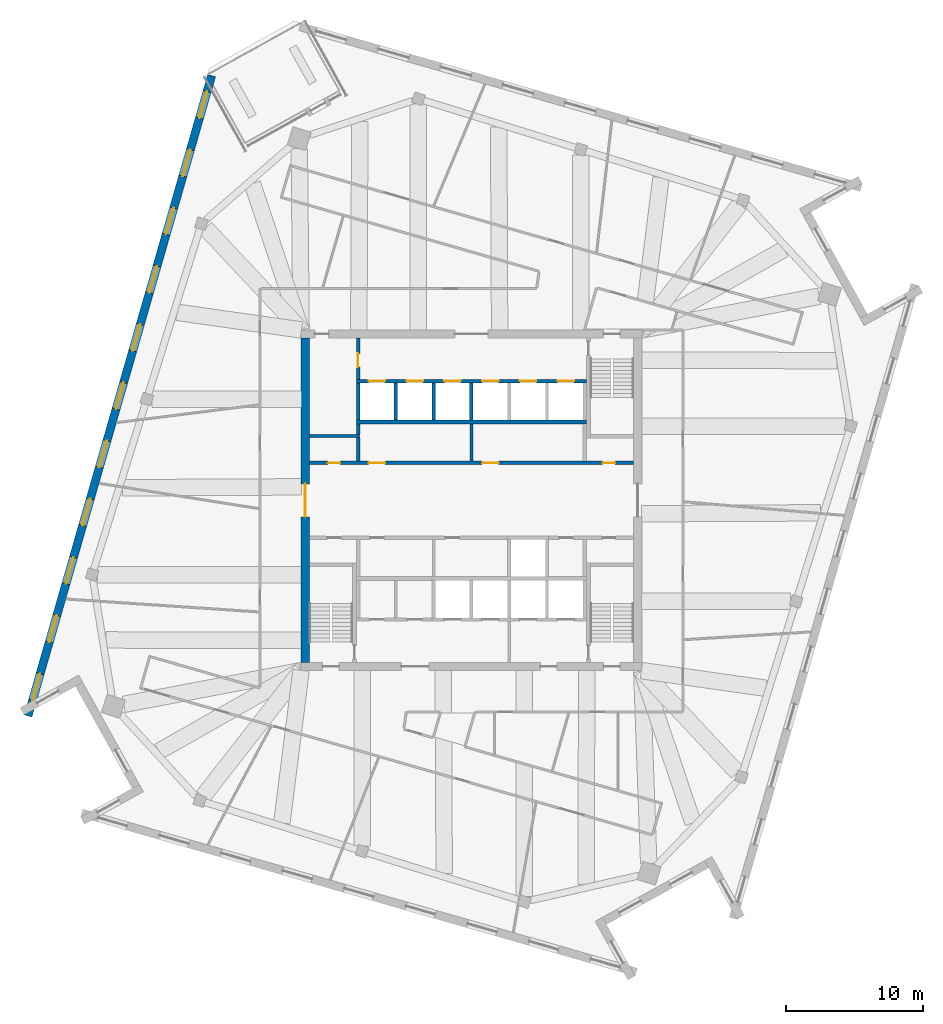
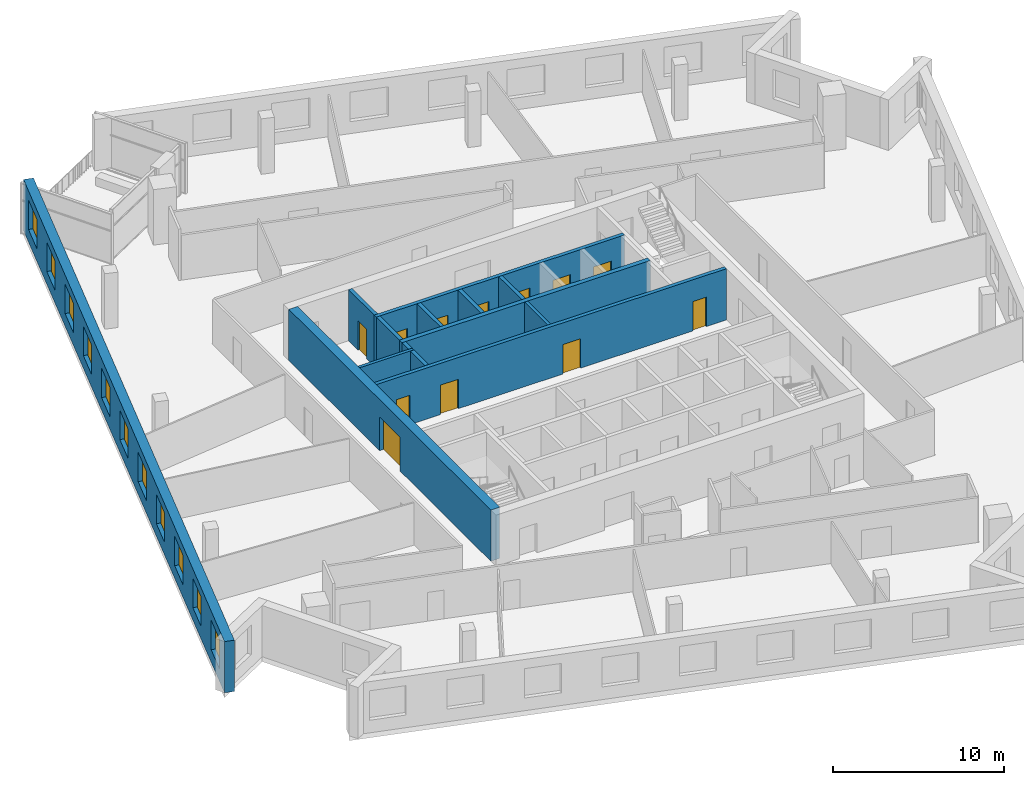
# One storey, part 10 of 15: 14 walls, 12 doors, 11 windows, 23 openings.
"""IFC4 building model written with IfcOpenShell, lengths in metres."""

from ifc_helpers import new_model, si_unit, direction, frame, frame_2d, origin, place, context, subcontext, project, spatial, rectangle, extrude, material, layer, layer_set, type_object, element, fill, save


model = new_model("IFC4")

# Units and contexts
model_context = context("Model", 3, precision=1e-05, world=origin(), true_north=direction((0.0, 1.0)))
body_context = subcontext(model_context, "Body", "Model", "MODEL_VIEW")
ifc_project = project(units=[si_unit("LENGTHUNIT", "METRE"), si_unit("AREAUNIT", "SQUARE_METRE"), si_unit("VOLUMEUNIT", "CUBIC_METRE"), si_unit("PLANEANGLEUNIT", "RADIAN"), si_unit("MASSUNIT", "GRAM", prefix="KILO")], contexts=[model_context])

# Site, building, storey
site_placement = place(None, origin())
site = spatial("IfcSite", under=ifc_project, at=site_placement, CompositionType="ELEMENT")
building_placement = place(site_placement, origin())
building = spatial("IfcBuilding", under=site, at=building_placement, Name="Dilmun Exchange Tower", CompositionType="ELEMENT")
storey_placement = place(building_placement, frame((0.0, 0.0, 324.5)))
storey = spatial("IfcBuildingStorey", under=building, at=storey_placement, Name="L77", CompositionType="ELEMENT", Elevation=324.5)

# Walls
ifc_material_1 = material(Name="Concrete C40/50", Category="concrete")
ifc_layer_1 = layer(ifc_material_1, 0.199951171875)
ifc_layer_set_1 = layer_set([ifc_layer_1], Name="Concrete C40/50")
wall_type_1 = type_object("IfcWallType", Name="Core partition wall 200", PredefinedType="PARTITIONING", material=ifc_layer_set_1)
wall_1_placement = place(storey_placement, frame((0.0, 2.85498046875, 0.0), z_axis=(0.0, 0.0, 1.0), x_axis=(0.0, 1.0, 0.0)))
element("IfcWall", 1, at=wall_1_placement, inside=storey, type_object=wall_type_1, Name="L77 core partition wall 13", PredefinedType="PARTITIONING", context=body_context, shape_type="SweptSolid", body=[
    extrude(rectangle(XDim=2.68994140625, YDim=0.199951171875, at=frame_2d((1.344970703125, 0.0))), origin(), (0.0, 0.0, 1.0), 3.64990234375),
])
wall_2_placement = place(storey_placement, frame((-11.794921875, 4.675048828125, 0.0), z_axis=(0.0, 0.0, 1.0), x_axis=(1.0, 0.0, 0.0)))
element("IfcWall", 2, at=wall_2_placement, inside=storey, type_object=wall_type_1, Name="L77 core partition wall 15", PredefinedType="PARTITIONING", context=body_context, shape_type="SweptSolid", body=[
    extrude(rectangle(XDim=3.64501953125, YDim=0.199951171875, at=frame_2d((1.822509765625, 0.0))), origin(), (0.0, 0.0, 1.0), 3.64990234375),
])

# Wall, openings, doors
ifc_layer_2 = layer(ifc_material_1, 0.25)
ifc_layer_set_2 = layer_set([ifc_layer_2], Name="Concrete C40/50")
wall_type_2 = type_object("IfcWallType", Name="Core partition wall 250", PredefinedType="PARTITIONING", material=ifc_layer_set_2)
wall_3_placement = place(storey_placement, frame((-11.794921875, 2.72509765625, 0.0), z_axis=(0.0, 0.0, 1.0), x_axis=(1.0, 0.0, 0.0)))
wall_3 = element("IfcWall", 3, at=wall_3_placement, inside=storey, type_object=wall_type_2, Name="L77 core partition wall 11", PredefinedType="PARTITIONING", context=body_context, shape_type="SweptSolid", body=[
    extrude(rectangle(XDim=23.58984375, YDim=0.25, at=frame_2d((11.794921875, 0.0))), origin(), (0.0, 0.0, 1.0), 3.64990234375),
])
opening_1_placement = place(wall_3_placement, frame((21.344970703125, 0.0, 0.0)))
opening_1 = element("IfcOpeningElement", 4, at=opening_1_placement, cuts=wall_3, Name="Opening CD6", PredefinedType="OPENING", context=body_context, shape_type="SweptSolid", body=[
    extrude(rectangle(XDim=0.89990234375, YDim=2.10009765625, at=frame_2d((0.449951171875, 1.050048828125))), frame((0.0, 0.135009765625, 0.0), z_axis=(0.0, -1.0, 0.0), x_axis=(1.0, 0.0, 0.0)), (0.0, 0.0, 1.0), 0.27001953125),
])
opening_2_placement = place(wall_3_placement, frame((1.344970703125, 0.0, 0.0)))
opening_2 = element("IfcOpeningElement", 5, at=opening_2_placement, cuts=wall_3, Name="Opening CD6", PredefinedType="OPENING", context=body_context, shape_type="SweptSolid", body=[
    extrude(rectangle(XDim=0.89990234375, YDim=2.10009765625, at=frame_2d((0.449951171875, 1.050048828125))), frame((0.0, 0.135009765625, 0.0), z_axis=(0.0, -1.0, 0.0), x_axis=(1.0, 0.0, 0.0)), (0.0, 0.0, 1.0), 0.27001953125),
])
opening_3_placement = place(wall_3_placement, frame((4.320068359375, 0.0, 0.0)))
opening_3 = element("IfcOpeningElement", 6, at=opening_3_placement, cuts=wall_3, Name="Opening CD3", PredefinedType="OPENING", context=body_context, shape_type="SweptSolid", body=[
    extrude(rectangle(XDim=1.199951171875, YDim=2.10009765625, at=frame_2d((0.60009765625, 1.050048828125))), frame((0.0, 0.135009765625, 0.0), z_axis=(0.0, -1.0, 0.0), x_axis=(1.0, 0.0, 0.0)), (0.0, 0.0, 1.0), 0.27001953125),
])
opening_4_placement = place(wall_3_placement, frame((12.570068359375, 0.0, 0.0)))
opening_4 = element("IfcOpeningElement", 7, at=opening_4_placement, cuts=wall_3, Name="Opening CD3", PredefinedType="OPENING", context=body_context, shape_type="SweptSolid", body=[
    extrude(rectangle(XDim=1.199951171875, YDim=2.10009765625, at=frame_2d((0.60009765625, 1.050048828125))), frame((0.0, 0.135009765625, 0.0), z_axis=(0.0, -1.0, 0.0), x_axis=(1.0, 0.0, 0.0)), (0.0, 0.0, 1.0), 0.27001953125),
])
ifc_material_2 = material(Name="Fire-rated steel door set", Category="steel")
door_type_1 = type_object("IfcDoorType", Name="Core room door 900x2100", OperationType="SINGLE_SWING_LEFT", PredefinedType="DOOR", material=ifc_material_2)
door_1_placement = place(opening_1_placement, origin())
door_1 = element("IfcDoor", 8, at=door_1_placement, inside=storey, type_object=door_type_1, Name="L77 door Electrical riser", OperationType="SINGLE_SWING_RIGHT", OverallHeight=2.10009765625, OverallWidth=0.89990234375, PredefinedType="DOOR", context=body_context, shape_type="SweptSolid", body=[
    extrude(rectangle(XDim=0.89990234375, YDim=2.10009765625, at=frame_2d((0.449951171875, 1.050048828125))), frame((0.0, 0.02490234375, 0.0), z_axis=(0.0, -1.0, 0.0), x_axis=(1.0, 0.0, 0.0)), (0.0, 0.0, 1.0), 0.050048828125),
])
fill(opening_1, door_1)
door_2_placement = place(opening_2_placement, origin())
door_2 = element("IfcDoor", 9, at=door_2_placement, inside=storey, type_object=door_type_1, Name="L77 door Plumbing riser", OperationType="SINGLE_SWING_RIGHT", OverallHeight=2.10009765625, OverallWidth=0.89990234375, PredefinedType="DOOR", context=body_context, shape_type="SweptSolid", body=[
    extrude(rectangle(XDim=0.89990234375, YDim=2.10009765625, at=frame_2d((0.449951171875, 1.050048828125))), frame((0.0, 0.02490234375, 0.0), z_axis=(0.0, -1.0, 0.0), x_axis=(1.0, 0.0, 0.0)), (0.0, 0.0, 1.0), 0.050048828125),
])
fill(opening_2, door_2)
door_type_2 = type_object("IfcDoorType", Name="Stair exit door 1200x2100", OperationType="SINGLE_SWING_LEFT", PredefinedType="DOOR", material=ifc_material_2)
door_3_placement = place(opening_3_placement, origin())
door_3 = element("IfcDoor", 10, at=door_3_placement, inside=storey, type_object=door_type_2, Name="L77 door Quiet working room", OperationType="SINGLE_SWING_LEFT", OverallHeight=2.10009765625, OverallWidth=1.199951171875, PredefinedType="DOOR", context=body_context, shape_type="SweptSolid", body=[
    extrude(rectangle(XDim=1.199951171875, YDim=2.10009765625, at=frame_2d((0.60009765625, 1.050048828125))), frame((0.0, 0.02490234375, 0.0), z_axis=(0.0, -1.0, 0.0), x_axis=(1.0, 0.0, 0.0)), (0.0, 0.0, 1.0), 0.050048828125),
])
fill(opening_3, door_3)
door_4_placement = place(opening_4_placement, origin())
door_4 = element("IfcDoor", 11, at=door_4_placement, inside=storey, type_object=door_type_2, Name="L77 door Building management office", OperationType="SINGLE_SWING_LEFT", OverallHeight=2.10009765625, OverallWidth=1.199951171875, PredefinedType="DOOR", context=body_context, shape_type="SweptSolid", body=[
    extrude(rectangle(XDim=1.199951171875, YDim=2.10009765625, at=frame_2d((0.60009765625, 1.050048828125))), frame((0.0, 0.02490234375, 0.0), z_axis=(0.0, -1.0, 0.0), x_axis=(1.0, 0.0, 0.0)), (0.0, 0.0, 1.0), 0.050048828125),
])
fill(opening_4, door_4)

# Walls
wall_4_placement = place(storey_placement, frame((-8.25, 2.85498046875, 0.0), z_axis=(0.0, 0.0, 1.0), x_axis=(0.0, 1.0, 0.0)))
element("IfcWall", 12, at=wall_4_placement, inside=storey, type_object=wall_type_2, Name="L77 core partition wall 12", PredefinedType="PARTITIONING", context=body_context, shape_type="SweptSolid", body=[
    extrude(rectangle(XDim=1.715087890625, YDim=0.25, at=frame_2d((0.857421875, 0.0))), origin(), (0.0, 0.0, 1.0), 3.64990234375),
])
wall_5_placement = place(storey_placement, frame((-8.25, 4.780029296875, 0.0), z_axis=(0.0, 0.0, 1.0), x_axis=(0.0, 1.0, 0.0)))
element("IfcWall", 13, at=wall_5_placement, inside=storey, type_object=wall_type_2, Name="L77 core partition wall 16", PredefinedType="PARTITIONING", context=body_context, shape_type="SweptSolid", body=[
    extrude(rectangle(XDim=0.764892578125, YDim=0.25, at=frame_2d((0.38232421875, 0.0))), origin(), (0.0, 0.0, 1.0), 3.64990234375),
])

# Wall, opening, door
wall_6_placement = place(storey_placement, frame((-8.25, 8.804931640625, 0.0), z_axis=(0.0, 0.0, 1.0), x_axis=(0.0, 1.0, 0.0)))
wall_6 = element("IfcWall", 14, at=wall_6_placement, inside=storey, type_object=wall_type_2, Name="L77 core partition wall 17", PredefinedType="PARTITIONING", context=body_context, shape_type="SweptSolid", body=[
    extrude(rectangle(XDim=2.989990234375, YDim=0.25, at=frame_2d((1.4951171875, 0.0))), origin(), (0.0, 0.0, 1.0), 3.64990234375),
])
opening_5_placement = place(wall_6_placement, frame((0.89501953125, 0.0, 0.0)))
opening_5 = element("IfcOpeningElement", 15, at=opening_5_placement, cuts=wall_6, Name="Opening CD4", PredefinedType="OPENING", context=body_context, shape_type="SweptSolid", body=[
    extrude(rectangle(XDim=1.0, YDim=2.10009765625, at=frame_2d((0.5, 1.050048828125))), frame((0.0, 0.135009765625, 0.0), z_axis=(0.0, -1.0, 0.0), x_axis=(1.0, 0.0, 0.0)), (0.0, 0.0, 1.0), 0.27001953125),
])
door_type_3 = type_object("IfcDoorType", Name="Core room door 1000x2100", OperationType="SINGLE_SWING_LEFT", PredefinedType="DOOR", material=ifc_material_2)
door_5_placement = place(opening_5_placement, origin())
door_5 = element("IfcDoor", 16, at=door_5_placement, inside=storey, type_object=door_type_3, Name="L77 door Building services room", OperationType="SINGLE_SWING_RIGHT", OverallHeight=2.10009765625, OverallWidth=1.0, PredefinedType="DOOR", context=body_context, shape_type="SweptSolid", body=[
    extrude(rectangle(XDim=1.0, YDim=2.10009765625, at=frame_2d((0.5, 1.050048828125))), frame((0.0, 0.02490234375, 0.0), z_axis=(0.0, -1.0, 0.0), x_axis=(1.0, 0.0, 0.0)), (0.0, 0.0, 1.0), 0.050048828125),
])
fill(opening_5, door_5)

ifc_material_3 = material(Name="Concrete C50/60", Category="concrete")
ifc_layer_3 = layer(ifc_material_3, 0.60009765625)
ifc_layer_set_3 = layer_set([ifc_layer_3], Name="Concrete C50/60")
wall_type_3 = type_object("IfcWallType", Name="Core shear wall 600 Concrete C50/60", PredefinedType="SHEAR", material=ifc_layer_set_3)
wall_7_placement = place(storey_placement, frame((-12.10009765625, -11.800048828125, 0.0), z_axis=(0.0, 0.0, 1.0), x_axis=(0.0, 1.0, 0.0)))
wall_7 = element("IfcWall", 17, at=wall_7_placement, inside=storey, type_object=wall_type_3, Name="L77 core shear wall W", PredefinedType="SHEAR", context=body_context, shape_type="SweptSolid", body=[
    extrude(rectangle(XDim=23.60009765625, YDim=0.60009765625, at=frame_2d((11.800048828125, 0.0))), origin(), (0.0, 0.0, 1.0), 3.64990234375),
])
opening_6_placement = place(wall_7_placement, frame((10.60009765625, 0.0, 0.0)))
opening_6 = element("IfcOpeningElement", 18, at=opening_6_placement, cuts=wall_7, Name="Opening CD1", PredefinedType="OPENING", context=body_context, shape_type="SweptSolid", body=[
    extrude(rectangle(XDim=2.39990234375, YDim=2.39990234375, at=frame_2d((1.199951171875, 1.199951171875))), frame((0.0, 0.31005859375, 0.0), z_axis=(0.0, -1.0, 0.0), x_axis=(1.0, 0.0, 0.0)), (0.0, 0.0, 1.0), 0.6201171875),
])
door_type_4 = type_object("IfcDoorType", Name="Core lobby door 2400x2400", OperationType="DOUBLE_DOOR_DOUBLE_SWING", PredefinedType="DOOR", material=ifc_material_2)
door_6_placement = place(opening_6_placement, origin())
door_6 = element("IfcDoor", 19, at=door_6_placement, inside=storey, type_object=door_type_4, Name="L77 door Central lift lobby", OperationType="SINGLE_SWING_LEFT", OverallHeight=2.39990234375, OverallWidth=2.39990234375, PredefinedType="DOOR", context=body_context, shape_type="SweptSolid", body=[
    extrude(rectangle(XDim=2.39990234375, YDim=2.39990234375, at=frame_2d((1.199951171875, 1.199951171875))), frame((0.0, 0.02490234375, 0.0), z_axis=(0.0, -1.0, 0.0), x_axis=(1.0, 0.0, 0.0)), (0.0, 0.0, 1.0), 0.050048828125),
])
fill(opening_6, door_6)

# Wall
ifc_layer_4 = layer(ifc_material_1, 0.300048828125)
ifc_layer_set_4 = layer_set([ifc_layer_4], Name="Concrete C40/50")
wall_type_4 = type_object("IfcWallType", Name="Lift shaft shared wall 300", PredefinedType="SOLIDWALL", material=ifc_layer_set_4)
wall_8_placement = place(storey_placement, frame((-8.375, 5.699951171875, 0.0), z_axis=(0.0, 0.0, 1.0), x_axis=(1.0, 0.0, 0.0)))
element("IfcWall", 20, at=wall_8_placement, inside=storey, type_object=wall_type_4, Name="L77 lift shaft rear wall N", PredefinedType="SOLIDWALL", context=body_context, shape_type="SweptSolid", body=[
    extrude(rectangle(XDim=16.75, YDim=0.300048828125, at=frame_2d((8.375, 0.0))), origin(), (0.0, 0.0, 1.0), 3.64990234375),
])

# Wall, openings, doors
ifc_layer_5 = layer(ifc_material_1, 0.25)
ifc_layer_set_5 = layer_set([ifc_layer_5], Name="Concrete C40/50")
wall_type_5 = type_object("IfcWallType", Name="Lift shaft wall 250", PredefinedType="SOLIDWALL", material=ifc_layer_set_5)
wall_9_placement = place(storey_placement, frame((-8.375, 8.675048828125, 0.0), z_axis=(0.0, 0.0, 1.0), x_axis=(1.0, 0.0, 0.0)))
wall_9 = element("IfcWall", 21, at=wall_9_placement, inside=storey, type_object=wall_type_5, Name="L77 lift shaft front wall N2", PredefinedType="SOLIDWALL", context=body_context, shape_type="SweptSolid", body=[
    extrude(rectangle(XDim=16.75, YDim=0.25, at=frame_2d((8.375, 0.0))), origin(), (0.0, 0.0, 1.0), 3.64990234375),
])
opening_7_placement = place(wall_9_placement, frame((0.89990234375, 0.0, 0.0)))
opening_7 = element("IfcOpeningElement", 22, at=opening_7_placement, cuts=wall_9, Name="Opening LD", PredefinedType="OPENING", context=body_context, shape_type="SweptSolid", body=[
    extrude(rectangle(XDim=1.199951171875, YDim=2.10009765625, at=frame_2d((0.60009765625, 1.050048828125))), frame((0.0, 0.135009765625, 0.0), z_axis=(0.0, -1.0, 0.0), x_axis=(1.0, 0.0, 0.0)), (0.0, 0.0, 1.0), 0.27001953125),
])
opening_8_placement = place(wall_9_placement, frame((3.64990234375, 0.0, 0.0)))
opening_8 = element("IfcOpeningElement", 23, at=opening_8_placement, cuts=wall_9, Name="Opening LD", PredefinedType="OPENING", context=body_context, shape_type="SweptSolid", body=[
    extrude(rectangle(XDim=1.199951171875, YDim=2.10009765625, at=frame_2d((0.60009765625, 1.050048828125))), frame((0.0, 0.135009765625, 0.0), z_axis=(0.0, -1.0, 0.0), x_axis=(1.0, 0.0, 0.0)), (0.0, 0.0, 1.0), 0.27001953125),
])
opening_9_placement = place(wall_9_placement, frame((6.39990234375, 0.0, 0.0)))
opening_9 = element("IfcOpeningElement", 24, at=opening_9_placement, cuts=wall_9, Name="Opening LD", PredefinedType="OPENING", context=body_context, shape_type="SweptSolid", body=[
    extrude(rectangle(XDim=1.199951171875, YDim=2.10009765625, at=frame_2d((0.60009765625, 1.050048828125))), frame((0.0, 0.135009765625, 0.0), z_axis=(0.0, -1.0, 0.0), x_axis=(1.0, 0.0, 0.0)), (0.0, 0.0, 1.0), 0.27001953125),
])
opening_10_placement = place(wall_9_placement, frame((9.14990234375, 0.0, 0.0)))
opening_10 = element("IfcOpeningElement", 25, at=opening_10_placement, cuts=wall_9, Name="Opening LD", PredefinedType="OPENING", context=body_context, shape_type="SweptSolid", body=[
    extrude(rectangle(XDim=1.199951171875, YDim=2.10009765625, at=frame_2d((0.60009765625, 1.050048828125))), frame((0.0, 0.135009765625, 0.0), z_axis=(0.0, -1.0, 0.0), x_axis=(1.0, 0.0, 0.0)), (0.0, 0.0, 1.0), 0.27001953125),
])
opening_11_placement = place(wall_9_placement, frame((11.89990234375, 0.0, 0.0)))
opening_11 = element("IfcOpeningElement", 26, at=opening_11_placement, cuts=wall_9, Name="Opening LD", PredefinedType="OPENING", context=body_context, shape_type="SweptSolid", body=[
    extrude(rectangle(XDim=1.199951171875, YDim=2.10009765625, at=frame_2d((0.60009765625, 1.050048828125))), frame((0.0, 0.135009765625, 0.0), z_axis=(0.0, -1.0, 0.0), x_axis=(1.0, 0.0, 0.0)), (0.0, 0.0, 1.0), 0.27001953125),
])
opening_12_placement = place(wall_9_placement, frame((14.64990234375, 0.0, 0.0)))
opening_12 = element("IfcOpeningElement", 27, at=opening_12_placement, cuts=wall_9, Name="Opening LD", PredefinedType="OPENING", context=body_context, shape_type="SweptSolid", body=[
    extrude(rectangle(XDim=1.199951171875, YDim=2.10009765625, at=frame_2d((0.60009765625, 1.050048828125))), frame((0.0, 0.135009765625, 0.0), z_axis=(0.0, -1.0, 0.0), x_axis=(1.0, 0.0, 0.0)), (0.0, 0.0, 1.0), 0.27001953125),
])
door_type_5 = type_object("IfcDoorType", Name="Lift landing door 1200x2100", OperationType="DOUBLE_DOOR_SLIDING", PredefinedType="DOOR", material=ifc_material_2)
door_7_placement = place(opening_7_placement, origin())
door_7 = element("IfcDoor", 28, at=door_7_placement, inside=storey, type_object=door_type_5, Name="L77 landing door HR1", OperationType="DOUBLE_DOOR_SLIDING", OverallHeight=2.10009765625, OverallWidth=1.199951171875, PredefinedType="DOOR", context=body_context, shape_type="SweptSolid", body=[
    extrude(rectangle(XDim=1.199951171875, YDim=2.10009765625, at=frame_2d((0.60009765625, 1.050048828125))), frame((0.0, 0.02490234375, 0.0), z_axis=(0.0, -1.0, 0.0), x_axis=(1.0, 0.0, 0.0)), (0.0, 0.0, 1.0), 0.050048828125),
])
fill(opening_7, door_7)
door_8_placement = place(opening_8_placement, origin())
door_8 = element("IfcDoor", 29, at=door_8_placement, inside=storey, type_object=door_type_5, Name="L77 landing door HR2", OperationType="DOUBLE_DOOR_SLIDING", OverallHeight=2.10009765625, OverallWidth=1.199951171875, PredefinedType="DOOR", context=body_context, shape_type="SweptSolid", body=[
    extrude(rectangle(XDim=1.199951171875, YDim=2.10009765625, at=frame_2d((0.60009765625, 1.050048828125))), frame((0.0, 0.02490234375, 0.0), z_axis=(0.0, -1.0, 0.0), x_axis=(1.0, 0.0, 0.0)), (0.0, 0.0, 1.0), 0.050048828125),
])
fill(opening_8, door_8)
door_9_placement = place(opening_9_placement, origin())
door_9 = element("IfcDoor", 30, at=door_9_placement, inside=storey, type_object=door_type_5, Name="L77 landing door HR3", OperationType="DOUBLE_DOOR_SLIDING", OverallHeight=2.10009765625, OverallWidth=1.199951171875, PredefinedType="DOOR", context=body_context, shape_type="SweptSolid", body=[
    extrude(rectangle(XDim=1.199951171875, YDim=2.10009765625, at=frame_2d((0.60009765625, 1.050048828125))), frame((0.0, 0.02490234375, 0.0), z_axis=(0.0, -1.0, 0.0), x_axis=(1.0, 0.0, 0.0)), (0.0, 0.0, 1.0), 0.050048828125),
])
fill(opening_9, door_9)
door_10_placement = place(opening_10_placement, origin())
door_10 = element("IfcDoor", 31, at=door_10_placement, inside=storey, type_object=door_type_5, Name="L77 landing door HR4", OperationType="DOUBLE_DOOR_SLIDING", OverallHeight=2.10009765625, OverallWidth=1.199951171875, PredefinedType="DOOR", context=body_context, shape_type="SweptSolid", body=[
    extrude(rectangle(XDim=1.199951171875, YDim=2.10009765625, at=frame_2d((0.60009765625, 1.050048828125))), frame((0.0, 0.02490234375, 0.0), z_axis=(0.0, -1.0, 0.0), x_axis=(1.0, 0.0, 0.0)), (0.0, 0.0, 1.0), 0.050048828125),
])
fill(opening_10, door_10)
door_11_placement = place(opening_11_placement, origin())
door_11 = element("IfcDoor", 32, at=door_11_placement, inside=storey, type_object=door_type_5, Name="L77 landing door HR5", OperationType="DOUBLE_DOOR_SLIDING", OverallHeight=2.10009765625, OverallWidth=1.199951171875, PredefinedType="DOOR", context=body_context, shape_type="SweptSolid", body=[
    extrude(rectangle(XDim=1.199951171875, YDim=2.10009765625, at=frame_2d((0.60009765625, 1.050048828125))), frame((0.0, 0.02490234375, 0.0), z_axis=(0.0, -1.0, 0.0), x_axis=(1.0, 0.0, 0.0)), (0.0, 0.0, 1.0), 0.050048828125),
])
fill(opening_11, door_11)
door_12_placement = place(opening_12_placement, origin())
door_12 = element("IfcDoor", 33, at=door_12_placement, inside=storey, type_object=door_type_5, Name="L77 landing door HR6", OperationType="DOUBLE_DOOR_SLIDING", OverallHeight=2.10009765625, OverallWidth=1.199951171875, PredefinedType="DOOR", context=body_context, shape_type="SweptSolid", body=[
    extrude(rectangle(XDim=1.199951171875, YDim=2.10009765625, at=frame_2d((0.60009765625, 1.050048828125))), frame((0.0, 0.02490234375, 0.0), z_axis=(0.0, -1.0, 0.0), x_axis=(1.0, 0.0, 0.0)), (0.0, 0.0, 1.0), 0.050048828125),
])
fill(opening_12, door_12)

# Walls
for number, where, z_axis, x_axis, name in (
    (34, (-8.25, 5.85009765625, 0.0), (0.0, 0.0, 1.0), (0.0, 1.0, 0.0), "L77 lift shaft divider N20"),
    (35, (-5.5, 5.85009765625, 0.0), (0.0, 0.0, 1.0), (0.0, 1.0, 0.0), "L77 lift shaft divider N21"),
    (36, (-2.75, 5.85009765625, 0.0), (0.0, 0.0, 1.0), (0.0, 1.0, 0.0), "L77 lift shaft divider N22"),
    (37, (0.0, 5.85009765625, 0.0), (0.0, 0.0, 1.0), (0.0, 1.0, 0.0), "L77 lift shaft divider N23"),
):
    element("IfcWall", number, at=place(storey_placement, frame(where, z_axis=z_axis, x_axis=x_axis)), inside=storey, type_object=wall_type_5, Name=name, PredefinedType="SOLIDWALL", context=body_context, shape_type="SweptSolid", body=[
        extrude(rectangle(XDim=2.699951171875, YDim=0.25, at=frame_2d((1.35009765625, 0.0))), origin(), (0.0, 0.0, 1.0), 3.64990234375),
    ])

# Wall, openings, windows
ifc_material_4 = material(Name="Precast concrete C50/60", Category="concrete")
ifc_layer_6 = layer(ifc_material_4, 0.60009765625)
ifc_layer_set_6 = layer_set([ifc_layer_6], Name="Precast concrete C50/60")
wall_type_6 = type_object("IfcWallType", Name="Precast stone-clad wall 600", PredefinedType="STANDARD", material=ifc_layer_set_6)
wall_10_placement = place(storey_placement, frame((-18.91259765625, 30.910400390625, 0.0), z_axis=(0.0, 0.0, 1.0), x_axis=(-0.275636693765, -0.961261885778, 0.0)))
wall_10 = element("IfcWall", 38, at=wall_10_placement, inside=storey, type_object=wall_type_6, Name="Facade wall L77-03", PredefinedType="STANDARD", context=body_context, shape_type="SweptSolid", body=[
    extrude(rectangle(XDim=48.489501953125, YDim=0.60009765625, at=frame_2d((24.24462890625, 0.0))), origin(), (0.0, 0.0, 1.0), 3.64990234375),
])
opening_13_placement = place(wall_10_placement, frame((1.2041015625, 0.0, 0.89990234375)))
opening_13 = element("IfcOpeningElement", 39, at=opening_13_placement, cuts=wall_10, Name="Opening W200-210", PredefinedType="OPENING", context=body_context, shape_type="SweptSolid", body=[
    extrude(rectangle(XDim=2.0, YDim=2.10009765625, at=frame_2d((1.0, 1.050048828125))), frame((0.0, 0.31005859375, 0.0), z_axis=(0.0, -1.0, 0.0), x_axis=(1.0, 0.0, 0.0)), (0.0, 0.0, 1.0), 0.6201171875),
])
opening_14_placement = place(wall_10_placement, frame((5.6123046875, 0.0, 0.89990234375)))
opening_14 = element("IfcOpeningElement", 40, at=opening_14_placement, cuts=wall_10, Name="Opening W200-210", PredefinedType="OPENING", context=body_context, shape_type="SweptSolid", body=[
    extrude(rectangle(XDim=2.0, YDim=2.10009765625, at=frame_2d((1.0, 1.050048828125))), frame((0.0, 0.31005859375, 0.0), z_axis=(0.0, -1.0, 0.0), x_axis=(1.0, 0.0, 0.0)), (0.0, 0.0, 1.0), 0.6201171875),
])
opening_15_placement = place(wall_10_placement, frame((10.0205078125, 0.0, 0.89990234375)))
opening_15 = element("IfcOpeningElement", 41, at=opening_15_placement, cuts=wall_10, Name="Opening W200-210", PredefinedType="OPENING", context=body_context, shape_type="SweptSolid", body=[
    extrude(rectangle(XDim=2.0, YDim=2.10009765625, at=frame_2d((1.0, 1.050048828125))), frame((0.0, 0.31005859375, 0.0), z_axis=(0.0, -1.0, 0.0), x_axis=(1.0, 0.0, 0.0)), (0.0, 0.0, 1.0), 0.6201171875),
])
opening_16_placement = place(wall_10_placement, frame((14.428466796875, 0.0, 0.89990234375)))
opening_16 = element("IfcOpeningElement", 42, at=opening_16_placement, cuts=wall_10, Name="Opening W200-210", PredefinedType="OPENING", context=body_context, shape_type="SweptSolid", body=[
    extrude(rectangle(XDim=2.0, YDim=2.10009765625, at=frame_2d((1.0, 1.050048828125))), frame((0.0, 0.31005859375, 0.0), z_axis=(0.0, -1.0, 0.0), x_axis=(1.0, 0.0, 0.0)), (0.0, 0.0, 1.0), 0.6201171875),
])
opening_17_placement = place(wall_10_placement, frame((18.836669921875, 0.0, 0.89990234375)))
opening_17 = element("IfcOpeningElement", 43, at=opening_17_placement, cuts=wall_10, Name="Opening W200-210", PredefinedType="OPENING", context=body_context, shape_type="SweptSolid", body=[
    extrude(rectangle(XDim=2.0, YDim=2.10009765625, at=frame_2d((1.0, 1.050048828125))), frame((0.0, 0.31005859375, 0.0), z_axis=(0.0, -1.0, 0.0), x_axis=(1.0, 0.0, 0.0)), (0.0, 0.0, 1.0), 0.6201171875),
])
opening_18_placement = place(wall_10_placement, frame((23.244873046875, 0.0, 0.89990234375)))
opening_18 = element("IfcOpeningElement", 44, at=opening_18_placement, cuts=wall_10, Name="Opening W200-210", PredefinedType="OPENING", context=body_context, shape_type="SweptSolid", body=[
    extrude(rectangle(XDim=2.0, YDim=2.10009765625, at=frame_2d((1.0, 1.050048828125))), frame((0.0, 0.31005859375, 0.0), z_axis=(0.0, -1.0, 0.0), x_axis=(1.0, 0.0, 0.0)), (0.0, 0.0, 1.0), 0.6201171875),
])
opening_19_placement = place(wall_10_placement, frame((27.65283203125, 0.0, 0.89990234375)))
opening_19 = element("IfcOpeningElement", 45, at=opening_19_placement, cuts=wall_10, Name="Opening W200-210", PredefinedType="OPENING", context=body_context, shape_type="SweptSolid", body=[
    extrude(rectangle(XDim=2.0, YDim=2.10009765625, at=frame_2d((1.0, 1.050048828125))), frame((0.0, 0.31005859375, 0.0), z_axis=(0.0, -1.0, 0.0), x_axis=(1.0, 0.0, 0.0)), (0.0, 0.0, 1.0), 0.6201171875),
])
opening_20_placement = place(wall_10_placement, frame((32.06103515625, 0.0, 0.89990234375)))
opening_20 = element("IfcOpeningElement", 46, at=opening_20_placement, cuts=wall_10, Name="Opening W200-210", PredefinedType="OPENING", context=body_context, shape_type="SweptSolid", body=[
    extrude(rectangle(XDim=2.0, YDim=2.10009765625, at=frame_2d((1.0, 1.050048828125))), frame((0.0, 0.31005859375, 0.0), z_axis=(0.0, -1.0, 0.0), x_axis=(1.0, 0.0, 0.0)), (0.0, 0.0, 1.0), 0.6201171875),
])
opening_21_placement = place(wall_10_placement, frame((36.46923828125, 0.0, 0.89990234375)))
opening_21 = element("IfcOpeningElement", 47, at=opening_21_placement, cuts=wall_10, Name="Opening W200-210", PredefinedType="OPENING", context=body_context, shape_type="SweptSolid", body=[
    extrude(rectangle(XDim=2.0, YDim=2.10009765625, at=frame_2d((1.0, 1.050048828125))), frame((0.0, 0.31005859375, 0.0), z_axis=(0.0, -1.0, 0.0), x_axis=(1.0, 0.0, 0.0)), (0.0, 0.0, 1.0), 0.6201171875),
])
opening_22_placement = place(wall_10_placement, frame((40.87744140625, 0.0, 0.89990234375)))
opening_22 = element("IfcOpeningElement", 48, at=opening_22_placement, cuts=wall_10, Name="Opening W200-210", PredefinedType="OPENING", context=body_context, shape_type="SweptSolid", body=[
    extrude(rectangle(XDim=2.0, YDim=2.10009765625, at=frame_2d((1.0, 1.050048828125))), frame((0.0, 0.31005859375, 0.0), z_axis=(0.0, -1.0, 0.0), x_axis=(1.0, 0.0, 0.0)), (0.0, 0.0, 1.0), 0.6201171875),
])
opening_23_placement = place(wall_10_placement, frame((45.285400390625, 0.0, 0.89990234375)))
opening_23 = element("IfcOpeningElement", 49, at=opening_23_placement, cuts=wall_10, Name="Opening W200-210", PredefinedType="OPENING", context=body_context, shape_type="SweptSolid", body=[
    extrude(rectangle(XDim=2.0, YDim=2.10009765625, at=frame_2d((1.0, 1.050048828125))), frame((0.0, 0.31005859375, 0.0), z_axis=(0.0, -1.0, 0.0), x_axis=(1.0, 0.0, 0.0)), (0.0, 0.0, 1.0), 0.6201171875),
])
ifc_material_5 = material(Name="Clear low-emissivity glass in aluminium frame", Category="aluminium")
window_type = type_object("IfcWindowType", Name="Punched window 2000 x 2100", PartitioningType="DOUBLE_PANEL_VERTICAL", PredefinedType="WINDOW", material=ifc_material_5)
window_1_placement = place(opening_13_placement, origin())
window_1 = element("IfcWindow", 50, at=window_1_placement, inside=storey, type_object=window_type, Name="Window 4.1", OverallHeight=2.10009765625, OverallWidth=2.0, PartitioningType="SINGLE_PANEL", PredefinedType="WINDOW", context=body_context, shape_type="SweptSolid", body=[
    extrude(rectangle(XDim=2.0, YDim=2.10009765625, at=frame_2d((1.0, 1.050048828125))), frame((0.0, 0.030029296875, 0.0), z_axis=(0.0, -1.0, 0.0), x_axis=(1.0, 0.0, 0.0)), (0.0, 0.0, 1.0), 0.06005859375),
])
fill(opening_13, window_1)
window_2_placement = place(opening_14_placement, origin())
window_2 = element("IfcWindow", 51, at=window_2_placement, inside=storey, type_object=window_type, Name="Window 4.2", OverallHeight=2.10009765625, OverallWidth=2.0, PartitioningType="SINGLE_PANEL", PredefinedType="WINDOW", context=body_context, shape_type="SweptSolid", body=[
    extrude(rectangle(XDim=2.0, YDim=2.10009765625, at=frame_2d((1.0, 1.050048828125))), frame((0.0, 0.030029296875, 0.0), z_axis=(0.0, -1.0, 0.0), x_axis=(1.0, 0.0, 0.0)), (0.0, 0.0, 1.0), 0.06005859375),
])
fill(opening_14, window_2)
window_3_placement = place(opening_15_placement, origin())
window_3 = element("IfcWindow", 52, at=window_3_placement, inside=storey, type_object=window_type, Name="Window 4.3", OverallHeight=2.10009765625, OverallWidth=2.0, PartitioningType="SINGLE_PANEL", PredefinedType="WINDOW", context=body_context, shape_type="SweptSolid", body=[
    extrude(rectangle(XDim=2.0, YDim=2.10009765625, at=frame_2d((1.0, 1.050048828125))), frame((0.0, 0.030029296875, 0.0), z_axis=(0.0, -1.0, 0.0), x_axis=(1.0, 0.0, 0.0)), (0.0, 0.0, 1.0), 0.06005859375),
])
fill(opening_15, window_3)
window_4_placement = place(opening_16_placement, origin())
window_4 = element("IfcWindow", 53, at=window_4_placement, inside=storey, type_object=window_type, Name="Window 4.4", OverallHeight=2.10009765625, OverallWidth=2.0, PartitioningType="SINGLE_PANEL", PredefinedType="WINDOW", context=body_context, shape_type="SweptSolid", body=[
    extrude(rectangle(XDim=2.0, YDim=2.10009765625, at=frame_2d((1.0, 1.050048828125))), frame((0.0, 0.030029296875, 0.0), z_axis=(0.0, -1.0, 0.0), x_axis=(1.0, 0.0, 0.0)), (0.0, 0.0, 1.0), 0.06005859375),
])
fill(opening_16, window_4)
window_5_placement = place(opening_17_placement, origin())
window_5 = element("IfcWindow", 54, at=window_5_placement, inside=storey, type_object=window_type, Name="Window 4.5", OverallHeight=2.10009765625, OverallWidth=2.0, PartitioningType="SINGLE_PANEL", PredefinedType="WINDOW", context=body_context, shape_type="SweptSolid", body=[
    extrude(rectangle(XDim=2.0, YDim=2.10009765625, at=frame_2d((1.0, 1.050048828125))), frame((0.0, 0.030029296875, 0.0), z_axis=(0.0, -1.0, 0.0), x_axis=(1.0, 0.0, 0.0)), (0.0, 0.0, 1.0), 0.06005859375),
])
fill(opening_17, window_5)
window_6_placement = place(opening_18_placement, origin())
window_6 = element("IfcWindow", 55, at=window_6_placement, inside=storey, type_object=window_type, Name="Window 4.6", OverallHeight=2.10009765625, OverallWidth=2.0, PartitioningType="SINGLE_PANEL", PredefinedType="WINDOW", context=body_context, shape_type="SweptSolid", body=[
    extrude(rectangle(XDim=2.0, YDim=2.10009765625, at=frame_2d((1.0, 1.050048828125))), frame((0.0, 0.030029296875, 0.0), z_axis=(0.0, -1.0, 0.0), x_axis=(1.0, 0.0, 0.0)), (0.0, 0.0, 1.0), 0.06005859375),
])
fill(opening_18, window_6)
window_7_placement = place(opening_19_placement, origin())
window_7 = element("IfcWindow", 56, at=window_7_placement, inside=storey, type_object=window_type, Name="Window 4.7", OverallHeight=2.10009765625, OverallWidth=2.0, PartitioningType="SINGLE_PANEL", PredefinedType="WINDOW", context=body_context, shape_type="SweptSolid", body=[
    extrude(rectangle(XDim=2.0, YDim=2.10009765625, at=frame_2d((1.0, 1.050048828125))), frame((0.0, 0.030029296875, 0.0), z_axis=(0.0, -1.0, 0.0), x_axis=(1.0, 0.0, 0.0)), (0.0, 0.0, 1.0), 0.06005859375),
])
fill(opening_19, window_7)
window_8_placement = place(opening_20_placement, origin())
window_8 = element("IfcWindow", 57, at=window_8_placement, inside=storey, type_object=window_type, Name="Window 4.8", OverallHeight=2.10009765625, OverallWidth=2.0, PartitioningType="SINGLE_PANEL", PredefinedType="WINDOW", context=body_context, shape_type="SweptSolid", body=[
    extrude(rectangle(XDim=2.0, YDim=2.10009765625, at=frame_2d((1.0, 1.050048828125))), frame((0.0, 0.030029296875, 0.0), z_axis=(0.0, -1.0, 0.0), x_axis=(1.0, 0.0, 0.0)), (0.0, 0.0, 1.0), 0.06005859375),
])
fill(opening_20, window_8)
window_9_placement = place(opening_21_placement, origin())
window_9 = element("IfcWindow", 58, at=window_9_placement, inside=storey, type_object=window_type, Name="Window 4.9", OverallHeight=2.10009765625, OverallWidth=2.0, PartitioningType="SINGLE_PANEL", PredefinedType="WINDOW", context=body_context, shape_type="SweptSolid", body=[
    extrude(rectangle(XDim=2.0, YDim=2.10009765625, at=frame_2d((1.0, 1.050048828125))), frame((0.0, 0.030029296875, 0.0), z_axis=(0.0, -1.0, 0.0), x_axis=(1.0, 0.0, 0.0)), (0.0, 0.0, 1.0), 0.06005859375),
])
fill(opening_21, window_9)
window_10_placement = place(opening_22_placement, origin())
window_10 = element("IfcWindow", 59, at=window_10_placement, inside=storey, type_object=window_type, Name="Window 4.10", OverallHeight=2.10009765625, OverallWidth=2.0, PartitioningType="SINGLE_PANEL", PredefinedType="WINDOW", context=body_context, shape_type="SweptSolid", body=[
    extrude(rectangle(XDim=2.0, YDim=2.10009765625, at=frame_2d((1.0, 1.050048828125))), frame((0.0, 0.030029296875, 0.0), z_axis=(0.0, -1.0, 0.0), x_axis=(1.0, 0.0, 0.0)), (0.0, 0.0, 1.0), 0.06005859375),
])
fill(opening_22, window_10)
window_11_placement = place(opening_23_placement, origin())
window_11 = element("IfcWindow", 60, at=window_11_placement, inside=storey, type_object=window_type, Name="Window 4.11", OverallHeight=2.10009765625, OverallWidth=2.0, PartitioningType="SINGLE_PANEL", PredefinedType="WINDOW", context=body_context, shape_type="SweptSolid", body=[
    extrude(rectangle(XDim=2.0, YDim=2.10009765625, at=frame_2d((1.0, 1.050048828125))), frame((0.0, 0.030029296875, 0.0), z_axis=(0.0, -1.0, 0.0), x_axis=(1.0, 0.0, 0.0)), (0.0, 0.0, 1.0), 0.06005859375),
])
fill(opening_23, window_11)

save(model, "model.ifc")
